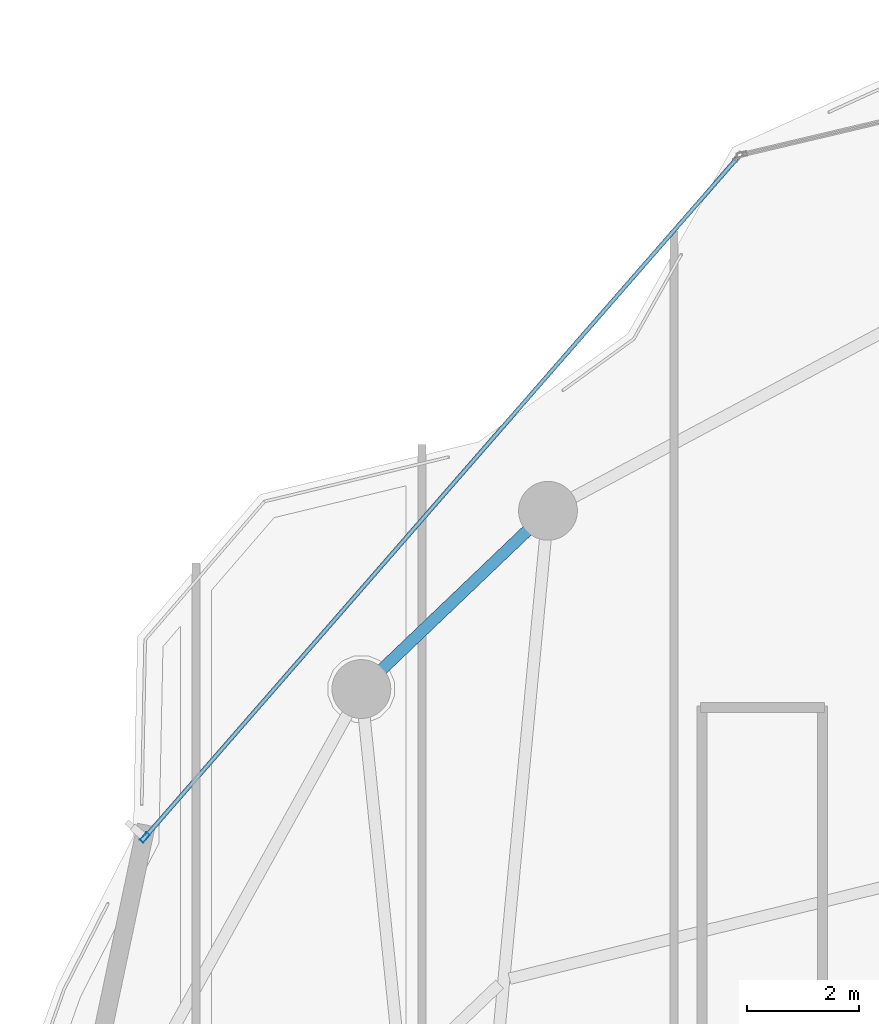
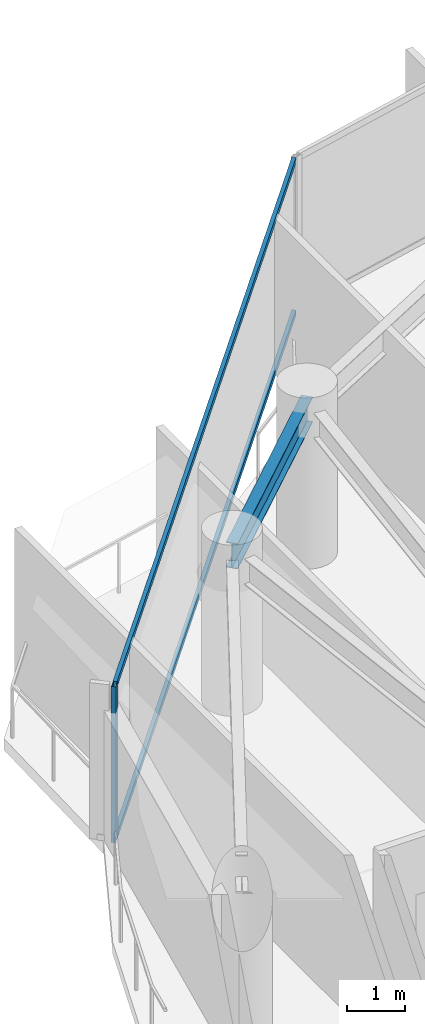
# One storey, part 16 of 29: 3 members, 1 beam, 1 element without a shape of its own.
"""IFC4 building model written with IfcOpenShell, lengths in metres."""

import ifcopenshell
import ifcopenshell.guid

model = None  # the IFC model being written
_history = None  # IfcOwnerHistory: only IFC2X3 demands one
_inside = {}  # id of a spatial element -> (the spatial element, [elements in it])
_under = {}  # id of a project, library or spatial element -> (it, [spatial elements below it])
_declared = {}  # id of a project -> (the project, [libraries it declares])
_typed = {}  # id of a type object -> (the type object, [elements of that type])
_made_of = {}  # id of a material, layer set ... -> (it, [elements and type objects made of it])


def new_model(schema):
    """Start an empty IFC model of exactly this schema.

    Asked for "IFC4X3", IfcOpenShell would pick the latest addendum, in which some entities
    have other attributes; the version numbers below select the first issue.
    IFC2X3 requires an IfcOwnerHistory on every rooted entity: one is made here for all.
    """
    global model, _history
    if schema == "IFC4X3":
        model = ifcopenshell.file(schema_version=(4, 3, 0, 0))
    else:
        model = ifcopenshell.file(schema=schema)
    _inside.clear()
    _under.clear()
    _declared.clear()
    _typed.clear()
    _made_of.clear()
    _history = None
    if model.schema == "IFC2X3":
        org = make("IfcOrganization", Name="unknown")
        user = make(
            "IfcPersonAndOrganization",
            ThePerson=make("IfcPerson", FamilyName="unknown"),
            TheOrganization=org,
        )
        app = make(
            "IfcApplication",
            ApplicationDeveloper=org,
            Version="unknown",
            ApplicationFullName="unknown",
            ApplicationIdentifier="unknown",
        )
        _history = make(
            "IfcOwnerHistory",
            OwningUser=user,
            OwningApplication=app,
            ChangeAction="ADDED",
            CreationDate=0,
        )
    return model


def make(cls, **values):
    """One entity of the class cls with the attributes given. An attribute that is None is left unset."""
    return model.create_entity(
        cls, **{name: value for name, value in values.items() if value is not None}
    )


def rooted(cls, **values):
    """An entity with a GlobalId (a new one), such as an element, a storey or a relation."""
    return make(cls, GlobalId=ifcopenshell.guid.new(), OwnerHistory=_history, **values)


def si_unit(unit_type, name, prefix=None):
    """IfcSIUnit, for example si_unit("LENGTHUNIT", "METRE", prefix="MILLI")."""
    return make("IfcSIUnit", UnitType=unit_type, Prefix=prefix, Name=name)


def assignment(units):
    """IfcUnitAssignment: the units of a project."""
    return None if units is None else make("IfcUnitAssignment", Units=units)


def point(xyz):
    """IfcCartesianPoint."""
    return None if xyz is None else make("IfcCartesianPoint", Coordinates=xyz)


def direction(xyz):
    """IfcDirection."""
    return None if xyz is None else make("IfcDirection", DirectionRatios=xyz)


def frame(location, z_axis=None, x_axis=None):
    """IfcAxis2Placement3D, a coordinate frame: its origin and axes. An axis left out is left unset."""
    return make(
        "IfcAxis2Placement3D",
        Location=point(location),
        Axis=direction(z_axis),
        RefDirection=direction(x_axis),
    )


def frame_2d(location, x_axis=None):
    """IfcAxis2Placement2D, a coordinate frame in the plane: its origin and x axis."""
    return make(
        "IfcAxis2Placement2D", Location=point(location), RefDirection=direction(x_axis)
    )


def origin():
    """The frame at (0, 0, 0) with its axes left unset."""
    return frame((0.0, 0.0, 0.0))


def origin_2d():
    """The frame at (0, 0) in the plane with its x axis left unset."""
    return frame_2d((0.0, 0.0))


def place(relative_to, where):
    """IfcLocalPlacement: puts the frame where relative to a parent placement (None: the world)."""
    return make(
        "IfcLocalPlacement", PlacementRelTo=relative_to, RelativePlacement=where
    )


def context(
    kind, dimensions, precision=None, world=None, true_north=None, identifier=None
):
    """IfcGeometricRepresentationContext, for example the 3D "Model" context."""
    return make(
        "IfcGeometricRepresentationContext",
        ContextIdentifier=identifier,
        ContextType=kind,
        CoordinateSpaceDimension=dimensions,
        Precision=precision,
        WorldCoordinateSystem=world,
        TrueNorth=true_north,
    )


def subcontext(parent, identifier, kind, view, scale=None):
    """IfcGeometricRepresentationSubContext, for example "Body" below "Model"."""
    return make(
        "IfcGeometricRepresentationSubContext",
        ContextIdentifier=identifier,
        ContextType=kind,
        ParentContext=parent,
        TargetScale=scale,
        TargetView=view,
    )


def project(units=None, contexts=None):
    """IfcProject with its units and contexts."""
    return rooted(
        "IfcProject",
        Name="project",
        RepresentationContexts=contexts,
        UnitsInContext=assignment(units),
    )


def spatial(cls, under=None, at=None, **own):
    """A site, building, storey or space (cls), placed at a placement, below another one or the project."""
    s = rooted(cls, ObjectPlacement=at, **own)
    if under is not None:
        _under.setdefault(under.id(), (under, []))[1].append(s)
    return s


def profile(cls, at=None, kind="AREA", **sizes):
    """A parametric profile (cls). Its sizes go by their IFC names, for example OverallWidth=200.0."""
    return make(cls, ProfileType=kind, Position=at, **sizes)


def hollow_rectangle(**sizes):
    """IfcRectangleHollowProfileDef."""
    return profile("IfcRectangleHollowProfileDef", **sizes)


def i_section(**sizes):
    """IfcIShapeProfileDef."""
    return profile("IfcIShapeProfileDef", **sizes)


def extrude(swept, where, along, depth):
    """IfcExtrudedAreaSolid: the profile swept, set in the frame where, extruded along a direction by depth."""
    return make(
        "IfcExtrudedAreaSolid",
        SweptArea=swept,
        Position=where,
        ExtrudedDirection=direction(along),
        Depth=depth,
    )


def shape(context_of_items, identifier, shape_type, items):
    """IfcShapeRepresentation: the items that make up one representation, for example the "Body"."""
    return make(
        "IfcShapeRepresentation",
        ContextOfItems=context_of_items,
        RepresentationIdentifier=identifier,
        RepresentationType=shape_type,
        Items=items,
    )


def material(Name=None, Category=None):
    """IfcMaterial."""
    return make("IfcMaterial", Name=Name, Category=Category)


def layer(
    of_material, thickness, ventilated=None, Name=None, Category=None, Priority=None
):
    """IfcMaterialLayer: one layer of a wall or slab, of a material (None: an air gap)."""
    return make(
        "IfcMaterialLayer",
        Material=of_material,
        LayerThickness=thickness,
        IsVentilated=ventilated,
        Name=Name,
        Category=Category,
        Priority=Priority,
    )


def layer_set(layers, Name=None):
    """IfcMaterialLayerSet."""
    return make("IfcMaterialLayerSet", MaterialLayers=layers, LayerSetName=Name)


def material_profile(
    of_material, cross_section, Name=None, Category=None, Priority=None
):
    """IfcMaterialProfile: a cross section and its material."""
    return make(
        "IfcMaterialProfile",
        Name=Name,
        Material=of_material,
        Profile=cross_section,
        Priority=Priority,
        Category=Category,
    )


def profile_set(profiles, Name=None, composite=None):
    """IfcMaterialProfileSet."""
    return make(
        "IfcMaterialProfileSet",
        Name=Name,
        MaterialProfiles=profiles,
        CompositeProfile=composite,
    )


def made_of(thing, what):
    """Note that an element or type object is made of a material, layer set ...; save() writes the relation."""
    if what is not None:
        _made_of.setdefault(what.id(), (what, []))[1].append(thing)
    return thing


def type_object(cls, material=None, **own):
    """A type object (cls), such as IfcWallType, which elements share."""
    return made_of(rooted(cls, **own), material)


def element(
    cls,
    number,
    at=None,
    inside=None,
    cuts=None,
    type_object=None,
    material=None,
    context=None,
    identifier="Body",
    shape_type=None,
    held_by="IfcProductDefinitionShape",
    body=None,
    shapes=None,
    **own,
):
    """One element of the class cls, such as IfcWall. Its Tag is "e" and its number.

    at: its placement. inside: the storey or other place that contains it. cuts: it is an
    opening in that element (IfcRelVoidsElement). A single representation is given by context,
    identifier, shape_type and body (its items); several are given by shapes. held_by: the class
    of the entity that holds the representations. save() writes the other relations.
    """
    e = rooted(cls, Tag="e%d" % number, ObjectPlacement=at, **own)
    if body is not None:
        shapes = [shape(context, identifier, shape_type, body)]
    if shapes is not None:
        e.Representation = make(held_by, Representations=shapes)
    if inside is not None:
        _inside.setdefault(inside.id(), (inside, []))[1].append(e)
    if cuts is not None:
        rooted(
            "IfcRelVoidsElement", RelatingBuildingElement=cuts, RelatedOpeningElement=e
        )
    if type_object is not None:
        _typed.setdefault(type_object.id(), (type_object, []))[1].append(e)
    return made_of(e, material)


def aggregate(whole, parts):
    """IfcRelAggregates: a whole, such as a stair, and the parts it consists of."""
    return rooted("IfcRelAggregates", RelatingObject=whole, RelatedObjects=parts)


def save(model, path):
    """Write the relations noted so far, then the file.

    IfcRelAggregates (storeys below a building ...), IfcRelContainedInSpatialStructure (elements
    in a storey), IfcRelDefinesByType, IfcRelAssociatesMaterial and IfcRelDeclares: one each for
    every whole, place, type object, material and project.
    """
    for whole, parts in _under.values():
        aggregate(whole, parts)
    for where, things in _inside.values():
        rooted(
            "IfcRelContainedInSpatialStructure",
            RelatedElements=things,
            RelatingStructure=where,
        )
    for kind, things in _typed.values():
        rooted("IfcRelDefinesByType", RelatedObjects=things, RelatingType=kind)
    for what, things in _made_of.values():
        rooted("IfcRelAssociatesMaterial", RelatedObjects=things, RelatingMaterial=what)
    for by, libraries in _declared.values():
        rooted("IfcRelDeclares", RelatingContext=by, RelatedDefinitions=libraries)
    model.write(path)


model = new_model("IFC4")

# Units and contexts
model_context = context("Model", 3, precision=1e-05, world=origin(), true_north=direction((0.0, 1.0)))
body_context = subcontext(model_context, "Body", "Model", "MODEL_VIEW")
ifc_project = project(units=[si_unit("LENGTHUNIT", "METRE"), si_unit("AREAUNIT", "SQUARE_METRE"), si_unit("VOLUMEUNIT", "CUBIC_METRE"), si_unit("PLANEANGLEUNIT", "RADIAN"), si_unit("MASSUNIT", "GRAM", prefix="KILO")], contexts=[model_context])

# Site, building, storey
site_placement = place(None, origin())
site = spatial("IfcSite", under=ifc_project, at=site_placement, CompositionType="ELEMENT")
building_placement = place(site_placement, origin())
building = spatial("IfcBuilding", under=site, at=building_placement, Name="Kazevale Care Tower and Concert Hall", CompositionType="ELEMENT")
storey_placement = place(building_placement, frame((0.0, 0.0, 249.60009765625)))
storey = spatial("IfcBuildingStorey", under=building, at=storey_placement, Name="L66", CompositionType="ELEMENT", Elevation=249.60009765625)

# Curtain wall, members
ifc_material_1 = material(Name="Aluminium 6063-T6 and Low-E Glass", Category="aluminium")
ifc_layer = layer(ifc_material_1, 0.179931640625)
ifc_layer_set = layer_set([ifc_layer], Name="Aluminium 6063-T6 and Low-E Glass")
curtain_wall_type = type_object("IfcCurtainWallType", Name="Convex Checkerboard Finned Curtain Wall CW-2", PredefinedType="NOTDEFINED", material=ifc_layer_set)
curtain_wall_placement = place(storey_placement, origin())
curtain_wall = element("IfcCurtainWall", 1, at=curtain_wall_placement, inside=storey, type_object=curtain_wall_type, Name="cw:L66:f14", PredefinedType="NOTDEFINED")
ifc_material_2 = material(Name="Aluminium 6063-T6", Category="aluminium")
ifc_material_profile_1 = material_profile(ifc_material_2, hollow_rectangle(XDim=0.080078125, YDim=0.179931640625, WallThickness=0.0048828125, at=origin_2d()), Name="ALU80x180x5")
ifc_profile_set_1 = profile_set([ifc_material_profile_1], Name="Aluminium 6063-T6")
member_type_1 = type_object("IfcMemberType", Name="CW-2 Mullion ALU80x180x5", PredefinedType="MULLION", material=ifc_profile_set_1)
member_1_placement = place(storey_placement, frame((16.55419921875, 49.17919921875, 0.0), z_axis=(0.0, 0.0, 1.0), x_axis=(-0.753738225685, 0.657174776708, 0.0)))
member_1 = element("IfcMember", 2, at=member_1_placement, type_object=member_type_1, Name="CW-2 mullion 1", PredefinedType="MULLION", context=body_context, shape_type="SweptSolid", body=[
    extrude(hollow_rectangle(XDim=0.080078125, YDim=0.179931640625, WallThickness=0.0048828125, at=origin_2d()), origin(), (0.0, 0.0, 1.0), 3.27978515625),
])
ifc_material_profile_2 = material_profile(ifc_material_2, hollow_rectangle(XDim=0.074951171875, YDim=0.1201171875, WallThickness=0.00390625, at=origin_2d()), Name="ALU75x120x4")
ifc_profile_set_2 = profile_set([ifc_material_profile_2], Name="Aluminium 6063-T6")
member_type_2 = type_object("IfcMemberType", Name="CW-2 Transom ALU75x120x4", PredefinedType="USERDEFINED", material=ifc_profile_set_2)
member_2_placement = place(storey_placement, frame((16.58056640625, 49.209228515625, 0.037353515625), z_axis=(0.657173569472, 0.753739278257, 0.0), x_axis=(-0.753739278257, 0.657173569472, 0.0)))
member_2 = element("IfcMember", 3, at=member_2_placement, type_object=member_type_2, Name="CW-2 transom 1.1", ObjectType="TRANSOM", PredefinedType="USERDEFINED", context=body_context, shape_type="SweptSolid", body=[
    extrude(hollow_rectangle(XDim=0.074951171875, YDim=0.1201171875, WallThickness=0.00390625, at=origin_2d()), origin(), (0.0, 0.0, 1.0), 16.03662109375),
])
member_3_placement = place(storey_placement, frame((16.58056640625, 49.209228515625, 3.242431640625), z_axis=(0.657173569472, 0.753739278257, 0.0), x_axis=(-0.753739278257, 0.657173569472, 0.0)))
member_3 = element("IfcMember", 4, at=member_3_placement, type_object=member_type_2, Name="CW-2 transom 1.2", ObjectType="TRANSOM", PredefinedType="USERDEFINED", context=body_context, shape_type="SweptSolid", body=[
    extrude(hollow_rectangle(XDim=0.074951171875, YDim=0.1201171875, WallThickness=0.00390625, at=origin_2d()), origin(), (0.0, 0.0, 1.0), 16.03662109375),
])
aggregate(curtain_wall, [member_1, member_2, member_3])

# Beam
ifc_material_3 = material(Name="Steel ASTM A572 Gr 50", Category="steel")
ifc_material_profile_3 = material_profile(ifc_material_3, i_section(OverallWidth=0.208984375, OverallDepth=0.532958984375, WebThickness=0.01025390625, FlangeThickness=0.015625, at=origin_2d()), Name="W530x92")
ifc_profile_set_3 = profile_set([ifc_material_profile_3], Name="Steel ASTM A572 Gr 50")
beam_type = type_object("IfcBeamType", Name="Upper Ring Beam W530x92", PredefinedType="BEAM", material=ifc_profile_set_3)
beam_placement = place(storey_placement, frame((23.75, 55.010009765625, 3.013427734375), z_axis=(-0.723223118589, -0.690614451585, 0.0), x_axis=(0.690614451585, -0.723223118589, 0.0)))
element("IfcBeam", 5, at=beam_placement, inside=storey, type_object=beam_type, Name="beam:L66:ring:07", PredefinedType="BEAM", context=body_context, shape_type="SweptSolid", body=[
    extrude(i_section(OverallWidth=0.208984375, OverallDepth=0.532958984375, WebThickness=0.01025390625, FlangeThickness=0.015625, at=origin_2d()), origin(), (0.0, 0.0, 1.0), 4.6044921875),
])

save(model, "model.ifc")
